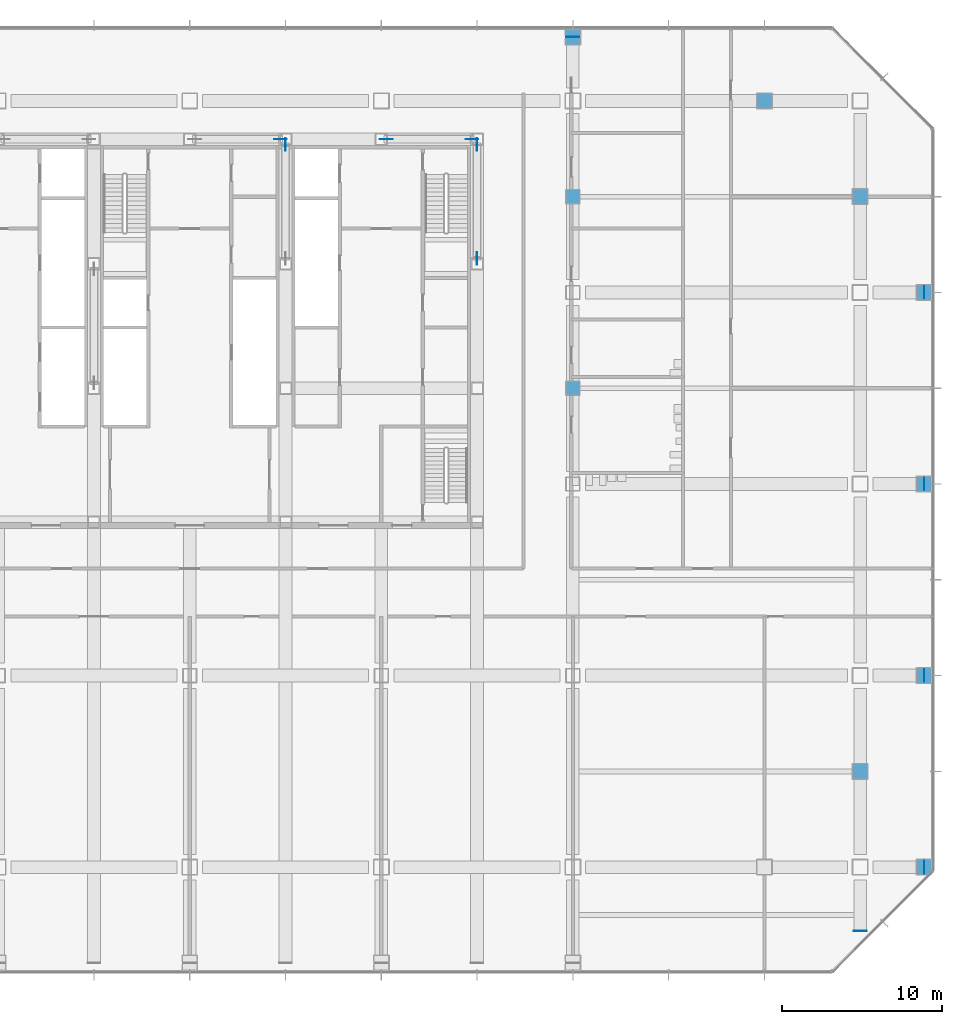
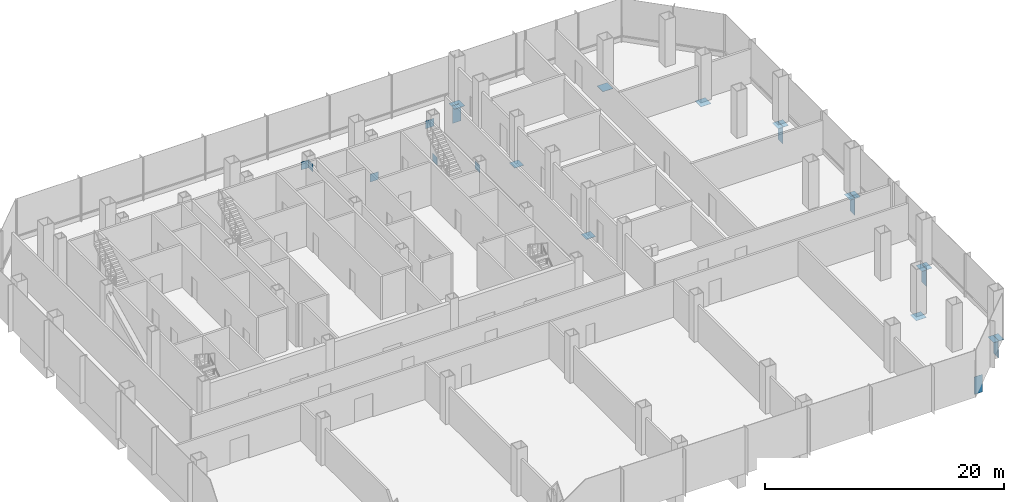
# One storey, part 27 of 34: 22 discrete accessories.
"""IFC4 building model written with IfcOpenShell, lengths in metres."""

from ifc_helpers import new_model, si_unit, direction, frame, origin, origin_2d, place, context, subcontext, project, spatial, rectangle, extrude, material, layer, layer_set, type_object, element, save


model = new_model("IFC4")

# Units and contexts
model_context = context("Model", 3, precision=1e-05, world=origin(), true_north=direction((0.0, 1.0)))
body_context = subcontext(model_context, "Body", "Model", "MODEL_VIEW")
ifc_project = project(units=[si_unit("LENGTHUNIT", "METRE"), si_unit("AREAUNIT", "SQUARE_METRE"), si_unit("VOLUMEUNIT", "CUBIC_METRE"), si_unit("PLANEANGLEUNIT", "RADIAN"), si_unit("MASSUNIT", "GRAM", prefix="KILO")], contexts=[model_context])

# Site, building, storey
site_placement = place(None, origin())
site = spatial("IfcSite", under=ifc_project, at=site_placement, CompositionType="ELEMENT")
building_placement = place(site_placement, origin())
building = spatial("IfcBuilding", under=site, at=building_placement, Name="Sorahane Residences", CompositionType="ELEMENT")
storey_placement = place(building_placement, frame((0.0, 0.0, 20.39990234375)))
storey = spatial("IfcBuildingStorey", under=building, at=storey_placement, Name="L02", CompositionType="ELEMENT", Elevation=20.39990234375)

# Discrete accessories
ifc_material_1 = material(Name="Steel Q420GJ", Category="steel")
ifc_layer_1 = layer(ifc_material_1, 0.02001953125)
ifc_layer_set_1 = layer_set([ifc_layer_1], Name="End plate Steel Q420GJ 1000x1000x20")
discrete_accessory_type_1 = type_object("IfcDiscreteAccessoryType", Name="End plate Steel Q420GJ 1000x1000x20", PredefinedType="USERDEFINED", material=ifc_layer_set_1)
for number, where, z_axis, x_axis, name in (
    (1, (48.0, 52.0, -0.419921875), (0.0, 0.0, 1.0), (1.0, 0.0, 0.0), "End plate L02"),
    (2, (60.0, 48.0, -0.419921875), (0.0, 0.0, 1.0), (1.0, 0.0, 0.0), "End plate L02"),
    (3, (66.0, 42.0, -0.419921875), (0.0, 0.0, 1.0), (1.0, 0.0, 0.0), "End plate L02"),
    (4, (66.0, 6.0, -0.419921875), (0.0, 0.0, 1.0), (1.0, 0.0, 0.0), "End plate L02"),
    (5, (70.0, 0.0, -0.419921875), (0.0, 0.0, 1.0), (1.0, 0.0, 0.0), "End plate L02"),
    (6, (70.0, 12.0, -0.419921875), (0.0, 0.0, 1.0), (1.0, 0.0, 0.0), "End plate L02"),
    (7, (70.0, 24.0, -0.419921875), (0.0, 0.0, 1.0), (1.0, 0.0, 0.0), "End plate L02"),
    (8, (70.0, 36.0, -0.419921875), (0.0, 0.0, 1.0), (1.0, 0.0, 0.0), "End plate L02"),
):
    element("IfcDiscreteAccessory", number, at=place(storey_placement, frame(where, z_axis=z_axis, x_axis=x_axis)), inside=storey, type_object=discrete_accessory_type_1, Name=name, ObjectType="END PLATE", PredefinedType="USERDEFINED", context=body_context, shape_type="SweptSolid", body=[
        extrude(rectangle(XDim=1.0, YDim=1.0, at=origin_2d()), origin(), (0.0, 0.0, 1.0), 0.02001953125),
    ])
ifc_material_2 = material(Name="Steel Q420GJ", Category="steel")
ifc_layer_2 = layer(ifc_material_2, 0.02001953125)
ifc_layer_set_2 = layer_set([ifc_layer_2], Name="End plate Steel Q420GJ 800x1800x20")
discrete_accessory_type_2 = type_object("IfcDiscreteAccessoryType", Name="End plate Steel Q420GJ 800x1800x20", PredefinedType="USERDEFINED", material=ifc_layer_set_2)
for number, where, z_axis, x_axis, name in (
    (9, (70.010009765625, 0.0, -2.19970703125), (0.0, 0.0, 1.0), (1.0, 0.0, 0.0), "End plate L02"),
    (10, (70.010009765625, 12.0, -2.19970703125), (0.0, 0.0, 1.0), (1.0, 0.0, 0.0), "End plate L02"),
    (11, (70.010009765625, 24.0, -2.19970703125), (0.0, 0.0, 1.0), (1.0, 0.0, 0.0), "End plate L02"),
    (12, (70.010009765625, 36.0, -2.19970703125), (0.0, 0.0, 1.0), (1.0, 0.0, 0.0), "End plate L02"),
    (13, (48.0, 52.010009765625, -2.19970703125), (0.0, 0.0, 1.0), (0.0, 1.0, 0.0), "End plate L02"),
    (14, (66.0, -4.010009765625, -2.19970703125), (0.0, 0.0, 1.0), (0.0, 1.0, 0.0), "End plate L02"),
):
    element("IfcDiscreteAccessory", number, at=place(storey_placement, frame(where, z_axis=z_axis, x_axis=x_axis)), inside=storey, type_object=discrete_accessory_type_2, Name=name, ObjectType="END PLATE", PredefinedType="USERDEFINED", context=body_context, shape_type="SweptSolid", body=[
        extrude(rectangle(XDim=0.02001953125, YDim=0.800048828125, at=origin_2d()), origin(), (0.0, 0.0, 1.0), 1.800048828125),
    ])
ifc_material_3 = material(Name="Steel Q420GJ", Category="steel")
ifc_layer_3 = layer(ifc_material_3, 0.02001953125)
ifc_layer_set_3 = layer_set([ifc_layer_3], Name="End plate Steel Q420GJ 900x900x20")
discrete_accessory_type_3 = type_object("IfcDiscreteAccessoryType", Name="End plate Steel Q420GJ 900x900x20", PredefinedType="USERDEFINED", material=ifc_layer_set_3)
for number, where, z_axis, x_axis, name in (
    (15, (48.0, 30.0, -0.419921875), (0.0, 0.0, 1.0), (1.0, 0.0, 0.0), "End plate L02"),
    (16, (48.0, 42.0, -0.419921875), (0.0, 0.0, 1.0), (1.0, 0.0, 0.0), "End plate L02"),
):
    element("IfcDiscreteAccessory", number, at=place(storey_placement, frame(where, z_axis=z_axis, x_axis=x_axis)), inside=storey, type_object=discrete_accessory_type_3, Name=name, ObjectType="END PLATE", PredefinedType="USERDEFINED", context=body_context, shape_type="SweptSolid", body=[
        extrude(rectangle(XDim=0.89990234375, YDim=0.89990234375, at=origin_2d()), origin(), (0.0, 0.0, 1.0), 0.02001953125),
    ])
ifc_material_4 = material(Name="Steel Q355B", Category="steel")
ifc_layer_4 = layer(ifc_material_4, 0.02490234375)
ifc_layer_set_4 = layer_set([ifc_layer_4], Name="Node plate Steel Q355B 25")
discrete_accessory_type_4 = type_object("IfcDiscreteAccessoryType", Name="Node plate Steel Q355B 25", PredefinedType="BRACKET", material=ifc_layer_set_4)
for number, where, z_axis, x_axis, name in (
    (17, (30.0, 45.266357421875, 3.3330078125), (0.0, 0.0, 1.0), (0.0, 1.0, 0.0), "Node plate L02 br"),
    (18, (42.0, 45.266357421875, -0.1826171875), (0.0, 0.0, 1.0), (0.0, 1.0, 0.0), "Node plate L02 br"),
    (19, (42.0, 38.1337890625, 3.3330078125), (0.0, 0.0, 1.0), (0.0, 1.0, 0.0), "Node plate L02 br"),
    (20, (36.317138671875, 45.60009765625, -0.205078125), (0.0, 0.0, 1.0), (1.0, 0.0, 0.0), "Node plate L02 br"),
    (21, (29.682861328125, 45.60009765625, 3.35498046875), (0.0, 0.0, 1.0), (1.0, 0.0, 0.0), "Node plate L02 br"),
    (22, (41.682861328125, 45.60009765625, 3.35498046875), (0.0, 0.0, 1.0), (1.0, 0.0, 0.0), "Node plate L02 br"),
):
    element("IfcDiscreteAccessory", number, at=place(storey_placement, frame(where, z_axis=z_axis, x_axis=x_axis)), inside=storey, type_object=discrete_accessory_type_4, Name=name, PredefinedType="BRACKET", context=body_context, shape_type="SweptSolid", body=[
        extrude(rectangle(XDim=0.800048828125, YDim=0.02490234375, at=origin_2d()), origin(), (0.0, 0.0, 1.0), 0.800048828125),
    ])

save(model, "model.ifc")
